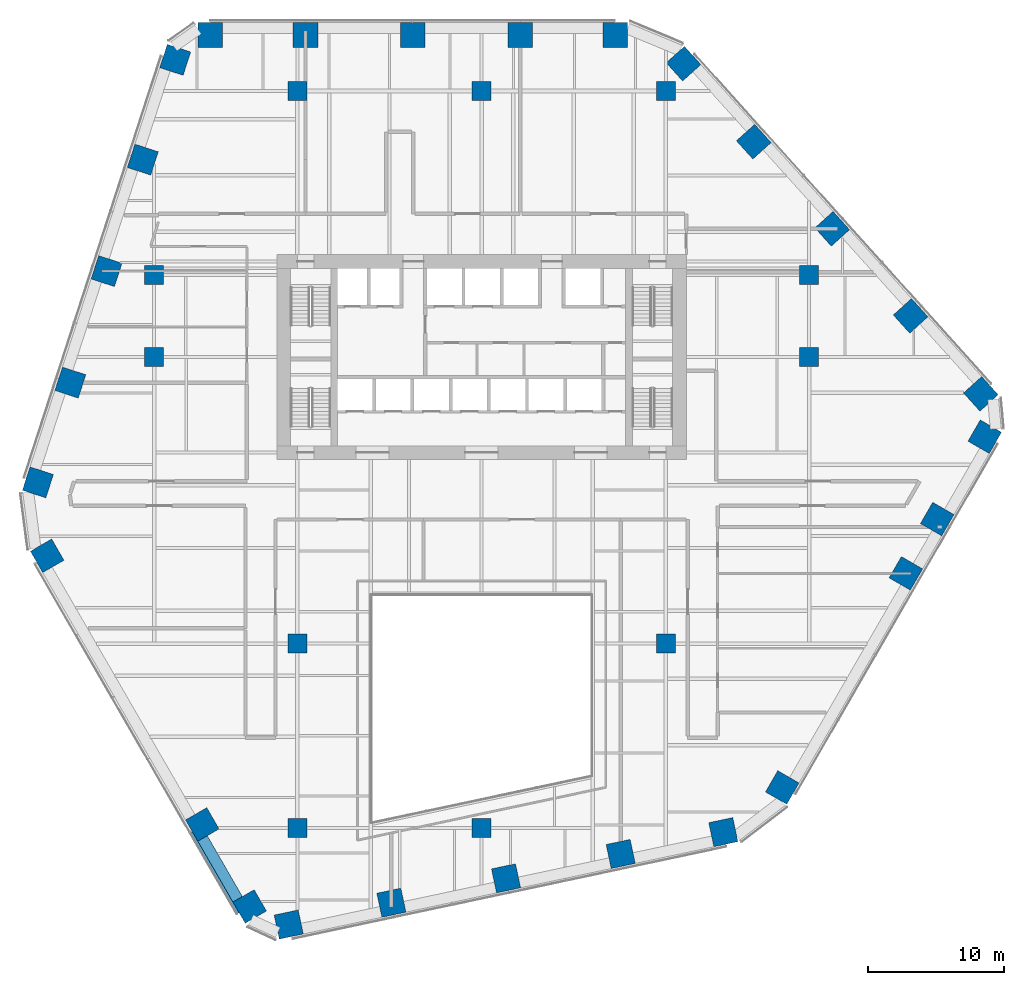
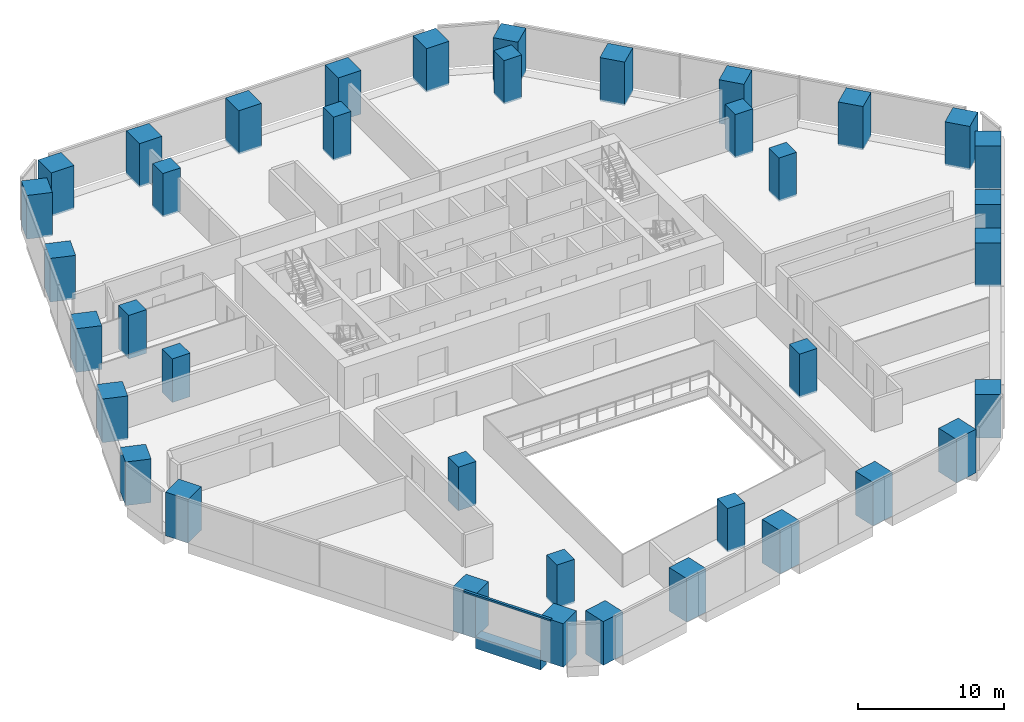
# One storey, part 1 of 20: 38 columns, 1 beam, 1 member, 1 element without a shape of its own.
"""IFC4 building model written with IfcOpenShell, lengths in metres."""

from ifc_helpers import new_model, si_unit, direction, frame, origin, origin_2d, place, context, subcontext, project, spatial, rectangle, extrude, material, layer, layer_set, material_profile, profile_set, type_object, element, aggregate, save


model = new_model("IFC4")

# Units and contexts
model_context = context("Model", 3, precision=1e-05, world=origin(), true_north=direction((0.0, 1.0)))
body_context = subcontext(model_context, "Body", "Model", "MODEL_VIEW")
ifc_project = project(units=[si_unit("LENGTHUNIT", "METRE"), si_unit("AREAUNIT", "SQUARE_METRE"), si_unit("VOLUMEUNIT", "CUBIC_METRE"), si_unit("PLANEANGLEUNIT", "RADIAN"), si_unit("MASSUNIT", "GRAM", prefix="KILO")], contexts=[model_context])

# Site, building, storey
site_placement = place(None, origin())
site = spatial("IfcSite", under=ifc_project, at=site_placement, CompositionType="ELEMENT")
building_placement = place(site_placement, origin())
building = spatial("IfcBuilding", under=site, at=building_placement, Name="Isthmus Gate Tower", CompositionType="ELEMENT")
storey_placement = place(building_placement, frame((0.0, 0.0, 57.89990234375)))
storey = spatial("IfcBuildingStorey", under=building, at=storey_placement, Name="L12", CompositionType="ELEMENT", Elevation=57.89990234375)

# Columns
ifc_material_1 = material(Name="Concrete f'c 70 MPa", Category="concrete")
ifc_material_profile_1 = material_profile(ifc_material_1, rectangle(XDim=1.39990234375, YDim=1.39990234375, at=origin_2d()), Name="RC 1400X1400")
ifc_profile_set_1 = profile_set([ifc_material_profile_1], Name="Concrete f'c 70 MPa")
column_type_1 = type_object("IfcColumnType", Name="RC INTERIOR COLUMN 1400 X 1400", PredefinedType="COLUMN", material=ifc_profile_set_1)
for number, where, z_axis, x_axis, name in (
    (1, (-24.0, 7.5, -0.14990234375), (0.0, 0.0, 1.0), (1.0, 0.0, 0.0), "str-icol-L12-ICA3"),
    (2, (-24.0, 13.5, -0.14990234375), (0.0, 0.0, 1.0), (1.0, 0.0, 0.0), "str-icol-L12-ICA4"),
    (3, (-13.5, -27.0, -0.14990234375), (0.0, 0.0, 1.0), (1.0, 0.0, 0.0), "str-icol-L12-ICB1"),
    (4, (-13.5, -13.5, -0.14990234375), (0.0, 0.0, 1.0), (1.0, 0.0, 0.0), "str-icol-L12-ICB2"),
    (5, (-13.5, 27.0, -0.14990234375), (0.0, 0.0, 1.0), (1.0, 0.0, 0.0), "str-icol-L12-ICB5"),
    (6, (0.0, -27.0, -0.14990234375), (0.0, 0.0, 1.0), (1.0, 0.0, 0.0), "str-icol-L12-ICC1"),
    (7, (0.0, 27.0, -0.14990234375), (0.0, 0.0, 1.0), (1.0, 0.0, 0.0), "str-icol-L12-ICC5"),
    (8, (13.5, -13.5, -0.14990234375), (0.0, 0.0, 1.0), (1.0, 0.0, 0.0), "str-icol-L12-ICD2"),
    (9, (13.5, 27.0, -0.14990234375), (0.0, 0.0, 1.0), (1.0, 0.0, 0.0), "str-icol-L12-ICD5"),
    (10, (24.0, 7.5, -0.14990234375), (0.0, 0.0, 1.0), (1.0, 0.0, 0.0), "str-icol-L12-ICE3"),
    (11, (24.0, 13.5, -0.14990234375), (0.0, 0.0, 1.0), (1.0, 0.0, 0.0), "str-icol-L12-ICE4"),
):
    element("IfcColumn", number, at=place(storey_placement, frame(where, z_axis=z_axis, x_axis=x_axis)), inside=storey, type_object=column_type_1, Name=name, PredefinedType="COLUMN", context=body_context, shape_type="SweptSolid", body=[
        extrude(rectangle(XDim=1.39990234375, YDim=1.39990234375, at=origin_2d()), origin(), (0.0, 0.0, 1.0), 3.64990234375),
    ])
ifc_material_2 = material(Name="Concrete f'c 70 MPa", Category="concrete")
ifc_material_profile_2 = material_profile(ifc_material_2, rectangle(XDim=1.800048828125, YDim=1.800048828125, at=origin_2d()), Name="RC 1800X1800")
ifc_profile_set_2 = profile_set([ifc_material_profile_2], Name="Concrete f'c 70 MPa")
column_type_2 = type_object("IfcColumnType", Name="RC TUBE COLUMN 1800 X 1800", PredefinedType="COLUMN", material=ifc_profile_set_2)
for number, where, z_axis, x_axis, name in (
    (12, (9.8017578125, 31.10009765625, -0.14990234375), (0.0, 0.0, 1.0), (-1.0, 0.0, 0.0), "str-tcol-L12-T1N0"),
    (13, (2.832275390625, 31.10009765625, -0.14990234375), (0.0, 0.0, 1.0), (-1.0, 0.0, 0.0), "str-tcol-L12-T1N1"),
    (14, (-5.037109375, 31.10009765625, -0.14990234375), (0.0, 0.0, 1.0), (-1.0, 0.0, 0.0), "str-tcol-L12-T1N2"),
    (15, (-12.90673828125, 31.10009765625, -0.14990234375), (0.0, 0.0, 1.0), (-1.0, 0.0, 0.0), "str-tcol-L12-T1N3"),
    (16, (-19.876220703125, 31.10009765625, -0.14990234375), (0.0, 0.0, 1.0), (-1.0, 0.0, 0.0), "str-tcol-L12-T1N4"),
    (17, (-22.451171875, 29.281005859375, -0.14990234375), (0.0, 0.0, 1.0), (-0.309016994375, -0.951056516295, 0.0), "str-tcol-L12-T1NW0"),
    (18, (-24.827392578125, 21.9677734375, -0.14990234375), (0.0, 0.0, 1.0), (-0.309016994375, -0.951056516295, 0.0), "str-tcol-L12-T1NW1"),
    (19, (-27.481689453125, 13.798828125, -0.14990234375), (0.0, 0.0, 1.0), (-0.309016994375, -0.951056516295, 0.0), "str-tcol-L12-T1NW2"),
    (20, (-30.135986328125, 5.6298828125, -0.14990234375), (0.0, 0.0, 1.0), (-0.309016994375, -0.951056516295, 0.0), "str-tcol-L12-T1NW3"),
    (21, (-32.511962890625, -1.68310546875, -0.14990234375), (0.0, 0.0, 1.0), (-0.309016994375, -0.951056516295, 0.0), "str-tcol-L12-T1NW4"),
    (22, (-31.834228515625, -7.061279296875, -0.14990234375), (0.0, 0.0, 1.0), (0.5, -0.866025403784, 0.0), "str-tcol-L12-T1SW0"),
    (23, (-20.467041015625, -26.75, -0.14990234375), (0.0, 0.0, 1.0), (0.5, -0.866025403784, 0.0), "str-tcol-L12-T1SW2"),
    (24, (-16.995361328125, -32.763427734375, -0.14990234375), (0.0, 0.0, 1.0), (0.5, -0.866025403784, 0.0), "str-tcol-L12-T1SW3"),
    (25, (-14.13232421875, -34.083740234375, -0.14990234375), (0.0, 0.0, 1.0), (0.978147600734, 0.207911690818, 0.0), "str-tcol-L12-T1S0"),
    (26, (-6.611083984375, -32.485107421875, -0.14990234375), (0.0, 0.0, 1.0), (0.978147600734, 0.207911690818, 0.0), "str-tcol-L12-T1S1"),
    (27, (1.79052734375, -30.69921875, -0.14990234375), (0.0, 0.0, 1.0), (0.978147600734, 0.207911690818, 0.0), "str-tcol-L12-T1S2"),
    (28, (10.192138671875, -28.91357421875, -0.14990234375), (0.0, 0.0, 1.0), (0.978147600734, 0.207911690818, 0.0), "str-tcol-L12-T1S3"),
    (29, (17.713623046875, -27.314697265625, -0.14990234375), (0.0, 0.0, 1.0), (0.978147600734, 0.207911690818, 0.0), "str-tcol-L12-T1S4"),
    (30, (22.032470703125, -24.03857421875, -0.14990234375), (0.0, 0.0, 1.0), (0.5, 0.866025403784, 0.0), "str-tcol-L12-T1SE0"),
    (31, (31.09033203125, -8.35009765625, -0.14990234375), (0.0, 0.0, 1.0), (0.5, 0.866025403784, 0.0), "str-tcol-L12-T1SE1"),
    (32, (33.38671875, -4.37255859375, -0.14990234375), (0.0, 0.0, 1.0), (0.5, 0.866025403784, 0.0), "str-tcol-L12-T1SE2"),
    (33, (36.87158203125, 1.663330078125, -0.14990234375), (0.0, 0.0, 1.0), (0.5, 0.866025403784, 0.0), "str-tcol-L12-T1SE3"),
    (34, (36.583740234375, 4.802978515625, -0.14990234375), (0.0, 0.0, 1.0), (-0.669130606359, 0.743144825477, 0.0), "str-tcol-L12-T1NE0"),
    (35, (31.4384765625, 10.517333984375, -0.14990234375), (0.0, 0.0, 1.0), (-0.669130606359, 0.743144825477, 0.0), "str-tcol-L12-T1NE1"),
    (36, (25.691162109375, 16.900390625, -0.14990234375), (0.0, 0.0, 1.0), (-0.669130606359, 0.743144825477, 0.0), "str-tcol-L12-T1NE2"),
    (37, (19.943603515625, 23.283447265625, -0.14990234375), (0.0, 0.0, 1.0), (-0.669130606359, 0.743144825477, 0.0), "str-tcol-L12-T1NE3"),
    (38, (14.798583984375, 28.997802734375, -0.14990234375), (0.0, 0.0, 1.0), (-0.669130606359, 0.743144825477, 0.0), "str-tcol-L12-T1NE4"),
):
    element("IfcColumn", number, at=place(storey_placement, frame(where, z_axis=z_axis, x_axis=x_axis)), inside=storey, type_object=column_type_2, Name=name, PredefinedType="COLUMN", context=body_context, shape_type="SweptSolid", body=[
        extrude(rectangle(XDim=1.800048828125, YDim=1.800048828125, at=origin_2d()), origin(), (0.0, 0.0, 1.0), 3.64990234375),
    ])

# Curtain wall, member
ifc_material_3 = material(Name="Aluminium, pale champagne anodised", Category="aluminium")
ifc_layer = layer(ifc_material_3, 0.199951171875)
ifc_layer_set = layer_set([ifc_layer], Name="CW-1 UNITISED CURTAIN WALL 200 DEEP")
curtain_wall_type = type_object("IfcCurtainWallType", Name="CW-1 UNITISED CURTAIN WALL 200 DEEP", PredefinedType="NOTDEFINED", material=ifc_layer_set)
curtain_wall_placement = place(storey_placement, origin())
curtain_wall = element("IfcCurtainWall", 39, at=curtain_wall_placement, inside=storey, type_object=curtain_wall_type, Name="CW-1 SW L12", PredefinedType="NOTDEFINED")
ifc_material_4 = material(Name="Aluminium, pale champagne anodised", Category="aluminium")
ifc_material_profile_3 = material_profile(ifc_material_4, rectangle(XDim=0.199951171875, YDim=0.14990234375, at=origin_2d()), Name="200x150")
ifc_profile_set_3 = profile_set([ifc_material_profile_3], Name="Aluminium, pale champagne anodised")
member_type = type_object("IfcMemberType", Name="CW-1 TRANSOM 200 X 150", PredefinedType="USERDEFINED", material=ifc_profile_set_3)
member_placement = place(storey_placement, frame((-21.302978515625, -27.302001953125, 3.5751953125), z_axis=(0.499980345582, -0.86603675097, 0.0), x_axis=(0.86603675097, 0.499980345582, 0.0)))
member = element("IfcMember", 40, at=member_placement, type_object=member_type, Name="CW-1 transom", ObjectType="TRANSOM", PredefinedType="USERDEFINED", context=body_context, shape_type="SweptSolid", body=[
    extrude(rectangle(XDim=0.199951171875, YDim=0.14990234375, at=origin_2d()), origin(), (0.0, 0.0, 1.0), 6.883544921875),
])
aggregate(curtain_wall, [member])

# Beam
ifc_material_5 = material(Name="Concrete f'c 70 MPa", Category="concrete")
ifc_material_profile_4 = material_profile(ifc_material_5, rectangle(XDim=0.800048828125, YDim=1.0, at=origin_2d()), Name="RC 800X1000")
ifc_profile_set_4 = profile_set([ifc_material_profile_4], Name="Concrete f'c 70 MPa")
beam_type = type_object("IfcBeamType", Name="RC SPANDREL 800 X 1000", PredefinedType="SPANDREL", material=ifc_profile_set_4)
beam_placement = place(storey_placement, frame((-17.878173828125, -32.23388671875, -0.5), z_axis=(-0.500044296292, 0.865999827798, 0.0), x_axis=(-0.865999827798, -0.500044296292, 0.0)))
element("IfcBeam", 41, at=beam_placement, inside=storey, type_object=beam_type, Name="str-spandrel-L12-15", PredefinedType="SPANDREL", context=body_context, shape_type="SweptSolid", body=[
    extrude(rectangle(XDim=0.800048828125, YDim=1.0, at=origin_2d()), origin(), (0.0, 0.0, 1.0), 5.1435546875),
])

save(model, "model.ifc")
